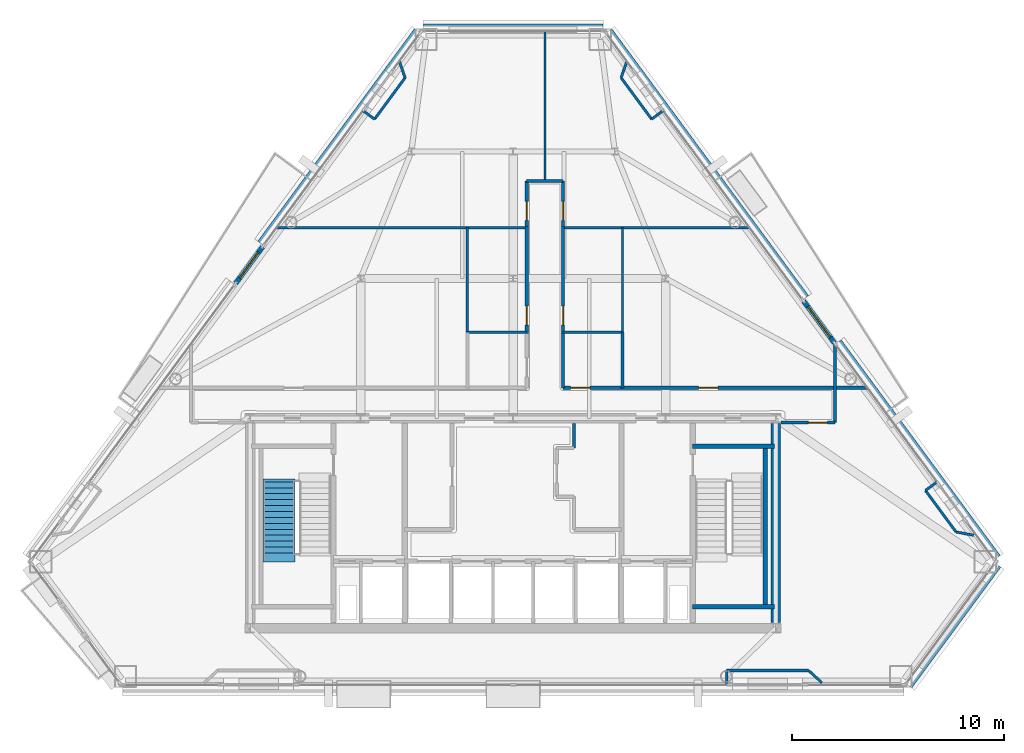
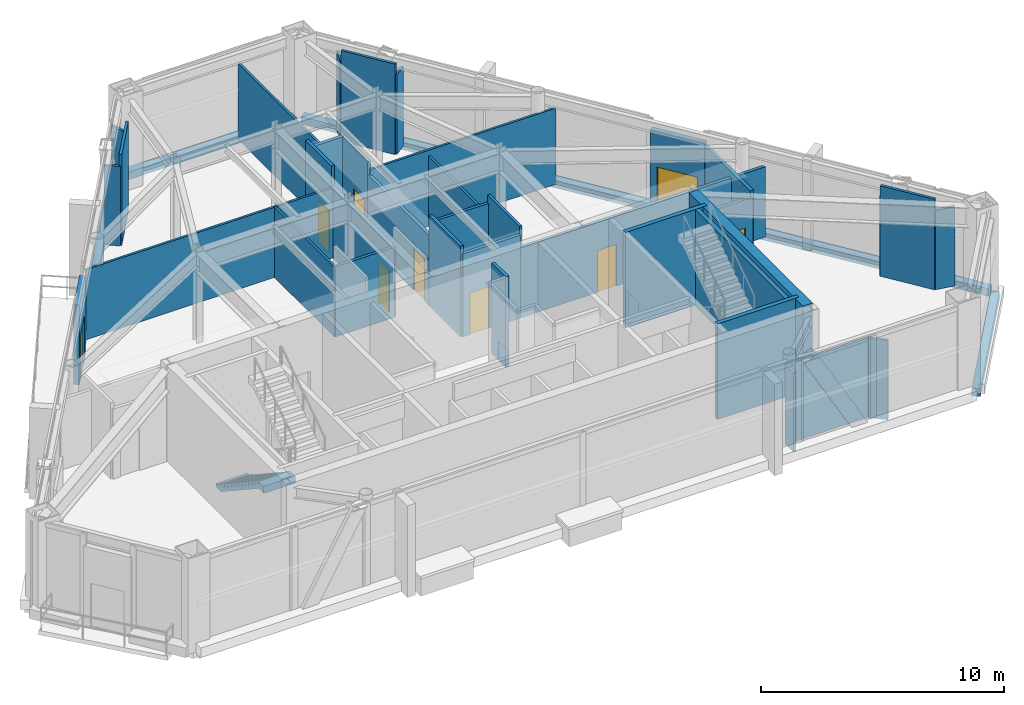
# One storey, part 7 of 10: 42 walls, 9 doors, 1 stair flight, 9 openings, 1 element without a shape of its own.
"""IFC4 building model written with IfcOpenShell, lengths in metres."""

from ifc_helpers import new_model, si_unit, direction, frame, frame_2d, origin, place, context, subcontext, project, spatial, polyline, rectangle, outline, extrude, material, layer, layer_set, type_object, element, fill, aggregate, save


model = new_model("IFC4")

# Units and contexts
model_context = context("Model", 3, precision=1e-05, world=origin(), true_north=direction((0.0, 1.0)))
body_context = subcontext(model_context, "Body", "Model", "MODEL_VIEW")
ifc_project = project(units=[si_unit("LENGTHUNIT", "METRE"), si_unit("AREAUNIT", "SQUARE_METRE"), si_unit("VOLUMEUNIT", "CUBIC_METRE"), si_unit("PLANEANGLEUNIT", "RADIAN"), si_unit("MASSUNIT", "GRAM", prefix="KILO")], contexts=[model_context])

# Site, building, storey
site_placement = place(None, origin())
site = spatial("IfcSite", under=ifc_project, at=site_placement, CompositionType="ELEMENT")
building_placement = place(site_placement, origin())
building = spatial("IfcBuilding", under=site, at=building_placement, Name="Talgorran Terracotta Tower", CompositionType="ELEMENT")
storey_placement = place(building_placement, frame((0.0, 0.0, 173.699951171875)))
storey = spatial("IfcBuildingStorey", under=building, at=storey_placement, Name="L45", CompositionType="ELEMENT", Elevation=173.699951171875)

# Wall, opening, door
ifc_material_1 = material(Name="Concrete C40/50", Category="concrete")
ifc_layer_1 = layer(ifc_material_1, 0.239990234375, Name="WT_BALCONY_SPAND")
ifc_layer_set_1 = layer_set([ifc_layer_1], Name="Concrete C40/50")
wall_type_1 = type_object("IfcWallType", Name="WT_BALCONY_SPAND", PredefinedType="STANDARD", material=ifc_layer_set_1)
wall_1_placement = place(storey_placement, frame((15.168212890625, -0.63330078125, -0.014892578125), z_axis=(0.0, 0.0, 1.0), x_axis=(-0.593448168385, 0.804872208142, 0.0)))
wall_1 = element("IfcWall", 1, at=wall_1_placement, inside=storey, type_object=wall_type_1, Name="WL-L45-BALP-BAL-NE", PredefinedType="STANDARD", context=body_context, shape_type="SweptSolid", body=[
    extrude(rectangle(XDim=2.43994140625, YDim=0.239990234375, at=frame_2d((1.219970703125, 0.0))), origin(), (0.0, 0.0, 1.0), 4.0068359375),
])
opening_1_placement = place(wall_1_placement, frame((0.320068359375, 0.0, 0.014892578125)))
opening_1 = element("IfcOpeningElement", 2, at=opening_1_placement, cuts=wall_1, Name="Opening D-BAL-L45-1", PredefinedType="OPENING", context=body_context, shape_type="SweptSolid", body=[
    extrude(rectangle(XDim=1.806048828125, YDim=2.203951171875, at=frame_2d((0.89990234375, 1.10205078125))), frame((0.0, 0.1298828125, 0.0), z_axis=(0.0, -1.0, 0.0), x_axis=(1.0, 0.0, 0.0)), (0.0, 0.0, 1.0), 0.260009765625),
])
ifc_material_2 = material(Name="Thermally Broken Aluminium", Category="aluminium")
door_type_1 = type_object("IfcDoorType", Name="DT_BALC_1800", OperationType="SLIDING_TO_LEFT", PredefinedType="DOOR", material=ifc_material_2)
door_1_placement = place(opening_1_placement, origin())
door_1 = element("IfcDoor", 3, at=door_1_placement, inside=storey, type_object=door_type_1, Name="DR-L45-BAL-BAL-NE", OperationType="SLIDING_TO_LEFT", OverallHeight=2.199951171875, OverallWidth=1.800048828125, PredefinedType="DOOR", context=body_context, shape_type="SweptSolid", body=[
    extrude(rectangle(XDim=1.800048828125, YDim=2.199951171875, at=frame_2d((0.89990234375, 1.10009765625))), frame((0.0, 0.02490234375, 0.0), z_axis=(0.0, -1.0, 0.0), x_axis=(1.0, 0.0, 0.0)), (0.0, 0.0, 1.0), 0.050048828125),
])
fill(opening_1, door_1)

wall_2_placement = place(storey_placement, frame((-11.826416015625, 3.898681640625, -0.014892578125), z_axis=(0.0, 0.0, 1.0), x_axis=(-0.593537527179, -0.804806314482, 0.0)))
wall_2 = element("IfcWall", 4, at=wall_2_placement, inside=storey, type_object=wall_type_1, Name="WL-L45-BALP-BAL-NW", PredefinedType="STANDARD", context=body_context, shape_type="SweptSolid", body=[
    extrude(rectangle(XDim=2.14013671875, YDim=0.239990234375, at=frame_2d((1.070068359375, 0.0))), origin(), (0.0, 0.0, 1.0), 4.0068359375),
])
opening_2_placement = place(wall_2_placement, frame((0.320068359375, 0.0, 0.014892578125)))
opening_2 = element("IfcOpeningElement", 5, at=opening_2_placement, cuts=wall_2, Name="Opening D-BAL-L45-2", PredefinedType="OPENING", context=body_context, shape_type="SweptSolid", body=[
    extrude(rectangle(XDim=1.506, YDim=2.203951171875, at=frame_2d((0.75, 1.10205078125))), frame((0.0, 0.1298828125, 0.0), z_axis=(0.0, -1.0, 0.0), x_axis=(1.0, 0.0, 0.0)), (0.0, 0.0, 1.0), 0.260009765625),
])
door_type_2 = type_object("IfcDoorType", Name="DT_BALC_1500", OperationType="SLIDING_TO_RIGHT", PredefinedType="DOOR", material=ifc_material_2)
door_2_placement = place(opening_2_placement, origin())
door_2 = element("IfcDoor", 6, at=door_2_placement, inside=storey, type_object=door_type_2, Name="DR-L45-BAL-BAL-NW", OperationType="SLIDING_TO_RIGHT", OverallHeight=2.199951171875, OverallWidth=1.5, PredefinedType="DOOR", context=body_context, shape_type="SweptSolid", body=[
    extrude(rectangle(XDim=1.5, YDim=2.199951171875, at=frame_2d((0.75, 1.10009765625))), frame((0.0, 0.02490234375, 0.0), z_axis=(0.0, -1.0, 0.0), x_axis=(1.0, 0.0, 0.0)), (0.0, 0.0, 1.0), 0.050048828125),
])
fill(opening_2, door_2)

# Walls
ifc_material_3 = material(Name="Concrete C50/60", Category="concrete")
ifc_layer_2 = layer(ifc_material_3, 0.199951171875, Name="WT_CORE_200")
ifc_layer_set_2 = layer_set([ifc_layer_2], Name="Concrete C50/60")
wall_type_2 = type_object("IfcWallType", Name="WT_CORE_200", PredefinedType="SOLIDWALL", material=ifc_layer_set_2)
for number, where, z_axis, x_axis, name in (
    (7, (8.47998046875, -5.52001953125, 0.0), (0.0, 0.0, 1.0), (1.0, 0.0, 0.0), "WL-L45-CW-ST2-N"),
    (8, (8.47998046875, -13.10009765625, 0.0), (0.0, 0.0, 1.0), (1.0, 0.0, 0.0), "WL-L45-CW-ST2-S"),
):
    element("IfcWall", number, at=place(storey_placement, frame(where, z_axis=z_axis, x_axis=x_axis)), inside=storey, type_object=wall_type_2, Name=name, PredefinedType="SOLIDWALL", context=body_context, shape_type="SweptSolid", body=[
        extrude(rectangle(XDim=3.8701171875, YDim=0.199951171875, at=frame_2d((1.93505859375, 0.0))), origin(), (0.0, 0.0, 1.0), 4.800048828125),
    ])
wall_3_placement = place(storey_placement, frame((11.89990234375, -13.10009765625, 0.0), z_axis=(0.0, 0.0, 1.0), x_axis=(0.0, 1.0, 0.0)))
element("IfcWall", 9, at=wall_3_placement, inside=storey, type_object=wall_type_2, Name="WL-L45-CW-ST2-E", PredefinedType="SOLIDWALL", context=body_context, shape_type="SweptSolid", body=[
    extrude(rectangle(XDim=7.580078125, YDim=0.199951171875, at=frame_2d((3.7900390625, 0.0))), origin(), (0.0, 0.0, 1.0), 4.800048828125),
])
ifc_material_4 = material(Name="Concrete C65/80", Category="concrete")
ifc_layer_3 = layer(ifc_material_4, 0.449951171875, Name="WT_CORE_EXT")
ifc_layer_set_3 = layer_set([ifc_layer_3], Name="Concrete C65/80")
wall_type_3 = type_object("IfcWallType", Name="WT_CORE_EXT", PredefinedType="SHEAR", material=ifc_layer_set_3)
wall_4_placement = place(storey_placement, frame((12.39990234375, -13.85009765625, 0.0), z_axis=(0.0, 0.0, 1.0), x_axis=(0.0, 1.0, 0.0)))
element("IfcWall", 10, at=wall_4_placement, inside=storey, type_object=wall_type_3, Name="WL-L45-CW-OUT-E", PredefinedType="SHEAR", context=body_context, shape_type="SweptSolid", body=[
    extrude(rectangle(XDim=9.400146484375, YDim=0.449951171875, at=frame_2d((4.7001953125, 0.0))), origin(), (0.0, 0.0, 1.0), 4.800048828125),
])
ifc_material_5 = material(Name="Fire-Rated Steel Stud Plasterboard", Category="steel")
ifc_layer_4 = layer(ifc_material_5, 0.14990234375, Name="WT_FIRE_150")
ifc_layer_set_4 = layer_set([ifc_layer_4], Name="Fire-Rated Steel Stud Plasterboard")
wall_type_4 = type_object("IfcWallType", Name="WT_FIRE_150", PredefinedType="PARTITIONING", material=ifc_layer_set_4)
wall_5_placement = place(storey_placement, frame((2.8798828125, -5.60009765625, 0.0), z_axis=(0.0, 0.0, 1.0), x_axis=(0.0, 1.0, 0.0)))
element("IfcWall", 11, at=wall_5_placement, inside=storey, type_object=wall_type_4, Name="WL-L45-CW-V-E3E", PredefinedType="PARTITIONING", context=body_context, shape_type="SweptSolid", body=[
    extrude(rectangle(XDim=1.150146484375, YDim=0.14990234375, at=frame_2d((0.5751953125, 0.0))), origin(), (0.0, 0.0, 1.0), 4.550048828125),
])

# Wall, opening, door
wall_6_placement = place(storey_placement, frame((5.10009765625, -2.760009765625, 0.0), z_axis=(0.0, 0.0, 1.0), x_axis=(1.0, 0.0, 0.0)))
wall_6 = element("IfcWall", 12, at=wall_6_placement, inside=storey, type_object=wall_type_4, Name="WL-L45-W-L45-R11", PredefinedType="PARTITIONING", context=body_context, shape_type="SweptSolid", body=[
    extrude(rectangle(XDim=11.636474609375, YDim=0.14990234375, at=frame_2d((5.818359375, 0.0))), origin(), (0.0, 0.0, 1.0), 3.525146484375),
])
opening_3_placement = place(wall_6_placement, frame((3.664306640625, 0.0, 0.0)))
opening_3 = element("IfcOpeningElement", 13, at=opening_3_placement, cuts=wall_6, Name="Opening DR-L45-R07", PredefinedType="OPENING", context=body_context, shape_type="SweptSolid", body=[
    extrude(rectangle(XDim=0.90590234375, YDim=2.10409765625, at=frame_2d((0.449951171875, 1.052001953125))), frame((0.0, 0.0849609375, 0.0), z_axis=(0.0, -1.0, 0.0), x_axis=(1.0, 0.0, 0.0)), (0.0, 0.0, 1.0), 0.169921875),
])
ifc_material_6 = material(Name="Fire-Rated Timber Core", Category="wood")
door_type_3 = type_object("IfcDoorType", Name="DT_FIRE_900", OperationType="NOTDEFINED", PredefinedType="DOOR", material=ifc_material_6)
door_3_placement = place(opening_3_placement, origin())
door_3 = element("IfcDoor", 14, at=door_3_placement, inside=storey, type_object=door_type_3, Name="DR-L45-R07", OperationType="SINGLE_SWING_LEFT", OverallHeight=2.10009765625, OverallWidth=0.89990234375, PredefinedType="DOOR", context=body_context, shape_type="SweptSolid", body=[
    extrude(rectangle(XDim=0.89990234375, YDim=2.10009765625, at=frame_2d((0.449951171875, 1.050048828125))), frame((0.0, 0.02490234375, 0.0), z_axis=(0.0, -1.0, 0.0), x_axis=(1.0, 0.0, 0.0)), (0.0, 0.0, 1.0), 0.050048828125),
])
fill(opening_3, door_3)

wall_7_placement = place(storey_placement, frame((0.639892578125, -0.199951171875, 0.0), z_axis=(0.0, 0.0, 1.0), x_axis=(0.0, 1.0, 0.0)))
wall_7 = element("IfcWall", 15, at=wall_7_placement, inside=storey, type_object=wall_type_4, Name="WL-L45-W-L45-R10", PredefinedType="PARTITIONING", context=body_context, shape_type="SweptSolid", body=[
    extrude(rectangle(XDim=5.06005859375, YDim=0.14990234375, at=frame_2d((2.530029296875, 0.0))), origin(), (0.0, 0.0, 1.0), 3.525146484375),
])
opening_4_placement = place(wall_7_placement, frame((0.397216796875, 0.0, 0.0)))
opening_4 = element("IfcOpeningElement", 16, at=opening_4_placement, cuts=wall_7, Name="Opening DR-L45-R06", PredefinedType="OPENING", context=body_context, shape_type="SweptSolid", body=[
    extrude(rectangle(XDim=0.90590234375, YDim=2.10409765625, at=frame_2d((0.449951171875, 1.052001953125))), frame((0.0, 0.0849609375, 0.0), z_axis=(0.0, -1.0, 0.0), x_axis=(1.0, 0.0, 0.0)), (0.0, 0.0, 1.0), 0.169921875),
])
door_4_placement = place(opening_4_placement, origin())
door_4 = element("IfcDoor", 17, at=door_4_placement, inside=storey, type_object=door_type_3, Name="DR-L45-R06", OperationType="SINGLE_SWING_RIGHT", OverallHeight=2.10009765625, OverallWidth=0.89990234375, PredefinedType="DOOR", context=body_context, shape_type="SweptSolid", body=[
    extrude(rectangle(XDim=0.89990234375, YDim=2.10009765625, at=frame_2d((0.449951171875, 1.050048828125))), frame((0.0, 0.02490234375, 0.0), z_axis=(0.0, -1.0, 0.0), x_axis=(1.0, 0.0, 0.0)), (0.0, 0.0, 1.0), 0.050048828125),
])
fill(opening_4, door_4)

wall_8_placement = place(storey_placement, frame((2.360107421875, -0.199951171875, 0.0), z_axis=(0.0, 0.0, 1.0), x_axis=(0.0, 1.0, 0.0)))
wall_8 = element("IfcWall", 18, at=wall_8_placement, inside=storey, type_object=wall_type_4, Name="WL-L45-W-L45-R12", PredefinedType="PARTITIONING", context=body_context, shape_type="SweptSolid", body=[
    extrude(rectangle(XDim=5.06005859375, YDim=0.14990234375, at=frame_2d((2.530029296875, 0.0))), origin(), (0.0, 0.0, 1.0), 3.525146484375),
])
opening_5_placement = place(wall_8_placement, frame((0.397216796875, 0.0, 0.0)))
opening_5 = element("IfcOpeningElement", 19, at=opening_5_placement, cuts=wall_8, Name="Opening DR-L45-R08", PredefinedType="OPENING", context=body_context, shape_type="SweptSolid", body=[
    extrude(rectangle(XDim=0.90590234375, YDim=2.10409765625, at=frame_2d((0.449951171875, 1.052001953125))), frame((0.0, 0.0849609375, 0.0), z_axis=(0.0, -1.0, 0.0), x_axis=(1.0, 0.0, 0.0)), (0.0, 0.0, 1.0), 0.169921875),
])
door_5_placement = place(opening_5_placement, origin())
door_5 = element("IfcDoor", 20, at=door_5_placement, inside=storey, type_object=door_type_3, Name="DR-L45-R08", OperationType="SINGLE_SWING_RIGHT", OverallHeight=2.10009765625, OverallWidth=0.89990234375, PredefinedType="DOOR", context=body_context, shape_type="SweptSolid", body=[
    extrude(rectangle(XDim=0.89990234375, YDim=2.10009765625, at=frame_2d((0.449951171875, 1.050048828125))), frame((0.0, 0.02490234375, 0.0), z_axis=(0.0, -1.0, 0.0), x_axis=(1.0, 0.0, 0.0)), (0.0, 0.0, 1.0), 0.050048828125),
])
fill(opening_5, door_5)

# Wall
wall_9_placement = place(storey_placement, frame((15.199951171875, -4.39990234375, 0.0), z_axis=(0.0, 0.0, 1.0), x_axis=(0.0, 1.0, 0.0)))
element("IfcWall", 21, at=wall_9_placement, inside=storey, type_object=wall_type_4, Name="WL-L45-W-L45-R04", PredefinedType="PARTITIONING", context=body_context, shape_type="SweptSolid", body=[
    extrude(rectangle(XDim=3.7236328125, YDim=0.14990234375, at=frame_2d((1.86181640625, 0.0))), origin(), (0.0, 0.0, 1.0), 3.824951171875),
])

# Wall, opening, door
wall_10_placement = place(storey_placement, frame((2.360107421875, -2.760009765625, 0.0), z_axis=(0.0, 0.0, 1.0), x_axis=(1.0, 0.0, 0.0)))
wall_10 = element("IfcWall", 22, at=wall_10_placement, inside=storey, type_object=wall_type_4, Name="WL-L45-W-L45-R06", PredefinedType="PARTITIONING", context=body_context, shape_type="SweptSolid", body=[
    extrude(rectangle(XDim=2.73779296875, YDim=0.14990234375, at=frame_2d((1.368896484375, 0.0))), origin(), (0.0, 0.0, 1.0), 4.16943359375),
])
opening_6_placement = place(wall_10_placement, frame((0.357177734375, 0.0, 0.0)))
opening_6 = element("IfcOpeningElement", 23, at=opening_6_placement, cuts=wall_10, Name="Opening DR-L45-R03", PredefinedType="OPENING", context=body_context, shape_type="SweptSolid", body=[
    extrude(rectangle(XDim=0.90590234375, YDim=2.10409765625, at=frame_2d((0.449951171875, 1.052001953125))), frame((0.0, 0.0849609375, 0.0), z_axis=(0.0, -1.0, 0.0), x_axis=(1.0, 0.0, 0.0)), (0.0, 0.0, 1.0), 0.169921875),
])
door_6_placement = place(opening_6_placement, origin())
door_6 = element("IfcDoor", 24, at=door_6_placement, inside=storey, type_object=door_type_3, Name="DR-L45-R03", OperationType="SINGLE_SWING_LEFT", OverallHeight=2.10009765625, OverallWidth=0.89990234375, PredefinedType="DOOR", context=body_context, shape_type="SweptSolid", body=[
    extrude(rectangle(XDim=0.89990234375, YDim=2.10009765625, at=frame_2d((0.449951171875, 1.050048828125))), frame((0.0, 0.02490234375, 0.0), z_axis=(0.0, -1.0, 0.0), x_axis=(1.0, 0.0, 0.0)), (0.0, 0.0, 1.0), 0.050048828125),
])
fill(opening_6, door_6)

wall_11_placement = place(storey_placement, frame((12.652099609375, -4.39990234375, 0.0), z_axis=(0.0, 0.0, 1.0), x_axis=(1.0, 0.0, 0.0)))
wall_11 = element("IfcWall", 25, at=wall_11_placement, inside=storey, type_object=wall_type_4, Name="WL-L45-W-L45-R03", PredefinedType="PARTITIONING", context=body_context, shape_type="SweptSolid", body=[
    extrude(rectangle(XDim=2.5478515625, YDim=0.14990234375, at=frame_2d((1.27392578125, 0.0))), origin(), (0.0, 0.0, 1.0), 3.525146484375),
])
opening_7_placement = place(wall_11_placement, frame((1.2880859375, 0.0, 0.0)))
opening_7 = element("IfcOpeningElement", 26, at=opening_7_placement, cuts=wall_11, Name="Opening DR-L45-R02", PredefinedType="OPENING", context=body_context, shape_type="SweptSolid", body=[
    extrude(rectangle(XDim=0.90590234375, YDim=2.10409765625, at=frame_2d((0.449951171875, 1.052001953125))), frame((0.0, 0.0849609375, 0.0), z_axis=(0.0, -1.0, 0.0), x_axis=(1.0, 0.0, 0.0)), (0.0, 0.0, 1.0), 0.169921875),
])
door_7_placement = place(opening_7_placement, origin())
door_7 = element("IfcDoor", 27, at=door_7_placement, inside=storey, type_object=door_type_3, Name="DR-L45-R02", OperationType="SINGLE_SWING_RIGHT", OverallHeight=2.10009765625, OverallWidth=0.89990234375, PredefinedType="DOOR", context=body_context, shape_type="SweptSolid", body=[
    extrude(rectangle(XDim=0.89990234375, YDim=2.10009765625, at=frame_2d((0.449951171875, 1.050048828125))), frame((0.0, 0.02490234375, 0.0), z_axis=(0.0, -1.0, 0.0), x_axis=(1.0, 0.0, 0.0)), (0.0, 0.0, 1.0), 0.050048828125),
])
fill(opening_7, door_7)

# Wall
wall_12_placement = place(storey_placement, frame((2.360107421875, -2.760009765625, 0.0), z_axis=(0.0, 0.0, 1.0), x_axis=(0.0, 1.0, 0.0)))
element("IfcWall", 28, at=wall_12_placement, inside=storey, type_object=wall_type_4, Name="WL-L45-W-L45-R05", PredefinedType="PARTITIONING", context=body_context, shape_type="SweptSolid", body=[
    extrude(rectangle(XDim=2.55810546875, YDim=0.14990234375, at=frame_2d((1.279052734375, 0.0))), origin(), (0.0, 0.0, 1.0), 4.550048828125),
])

# Wall, opening, door
wall_13_placement = place(storey_placement, frame((0.639892578125, 4.862060546875, 0.0), z_axis=(0.0, 0.0, 1.0), x_axis=(0.0, 1.0, 0.0)))
wall_13 = element("IfcWall", 29, at=wall_13_placement, inside=storey, type_object=wall_type_4, Name="WL-L45-W-L45-R13", PredefinedType="PARTITIONING", context=body_context, shape_type="SweptSolid", body=[
    extrude(rectangle(XDim=2.137939453125, YDim=0.14990234375, at=frame_2d((1.06884765625, 0.0))), origin(), (0.0, 0.0, 1.0), 4.550048828125),
])
opening_8_placement = place(wall_13_placement, frame((0.278076171875, 0.0, 0.0)))
opening_8 = element("IfcOpeningElement", 30, at=opening_8_placement, cuts=wall_13, Name="Opening DR-L45-R09", PredefinedType="OPENING", context=body_context, shape_type="SweptSolid", body=[
    extrude(rectangle(XDim=0.90590234375, YDim=2.10409765625, at=frame_2d((0.449951171875, 1.052001953125))), frame((0.0, 0.0849609375, 0.0), z_axis=(0.0, -1.0, 0.0), x_axis=(1.0, 0.0, 0.0)), (0.0, 0.0, 1.0), 0.169921875),
])
door_8_placement = place(opening_8_placement, origin())
door_8 = element("IfcDoor", 31, at=door_8_placement, inside=storey, type_object=door_type_3, Name="DR-L45-R09", OperationType="SINGLE_SWING_LEFT", OverallHeight=2.10009765625, OverallWidth=0.89990234375, PredefinedType="DOOR", context=body_context, shape_type="SweptSolid", body=[
    extrude(rectangle(XDim=0.89990234375, YDim=2.10009765625, at=frame_2d((0.449951171875, 1.050048828125))), frame((0.0, 0.02490234375, 0.0), z_axis=(0.0, -1.0, 0.0), x_axis=(1.0, 0.0, 0.0)), (0.0, 0.0, 1.0), 0.050048828125),
])
fill(opening_8, door_8)

wall_14_placement = place(storey_placement, frame((2.360107421875, 4.862060546875, 0.0), z_axis=(0.0, 0.0, 1.0), x_axis=(0.0, 1.0, 0.0)))
wall_14 = element("IfcWall", 32, at=wall_14_placement, inside=storey, type_object=wall_type_4, Name="WL-L45-W-L45-R16", PredefinedType="PARTITIONING", context=body_context, shape_type="SweptSolid", body=[
    extrude(rectangle(XDim=2.137939453125, YDim=0.14990234375, at=frame_2d((1.06884765625, 0.0))), origin(), (0.0, 0.0, 1.0), 4.16943359375),
])
opening_9_placement = place(wall_14_placement, frame((0.278076171875, 0.0, 0.0)))
opening_9 = element("IfcOpeningElement", 33, at=opening_9_placement, cuts=wall_14, Name="Opening DR-L45-R10", PredefinedType="OPENING", context=body_context, shape_type="SweptSolid", body=[
    extrude(rectangle(XDim=0.90590234375, YDim=2.10409765625, at=frame_2d((0.449951171875, 1.052001953125))), frame((0.0, 0.0849609375, 0.0), z_axis=(0.0, -1.0, 0.0), x_axis=(1.0, 0.0, 0.0)), (0.0, 0.0, 1.0), 0.169921875),
])
door_9_placement = place(opening_9_placement, origin())
door_9 = element("IfcDoor", 34, at=door_9_placement, inside=storey, type_object=door_type_3, Name="DR-L45-R10", OperationType="SINGLE_SWING_RIGHT", OverallHeight=2.10009765625, OverallWidth=0.89990234375, PredefinedType="DOOR", context=body_context, shape_type="SweptSolid", body=[
    extrude(rectangle(XDim=0.89990234375, YDim=2.10009765625, at=frame_2d((0.449951171875, 1.050048828125))), frame((0.0, 0.02490234375, 0.0), z_axis=(0.0, -1.0, 0.0), x_axis=(1.0, 0.0, 0.0)), (0.0, 0.0, 1.0), 0.050048828125),
])
fill(opening_9, door_9)

# Walls
wall_15_placement = place(storey_placement, frame((0.639892578125, 7.0, 0.0), z_axis=(0.0, 0.0, 1.0), x_axis=(1.0, 0.0, 0.0)))
element("IfcWall", 35, at=wall_15_placement, inside=storey, type_object=wall_type_4, Name="WL-L45-W-L45-R14", PredefinedType="PARTITIONING", context=body_context, shape_type="SweptSolid", body=[
    extrude(rectangle(XDim=1.72021484375, YDim=0.14990234375, at=frame_2d((0.860107421875, 0.0))), origin(), (0.0, 0.0, 1.0), 4.16943359375),
])
ifc_layer_5 = layer(ifc_material_1, 0.219970703125, Name="WT_PARAPET_RC")
ifc_layer_set_5 = layer_set([ifc_layer_5], Name="Concrete C40/50")
wall_type_5 = type_object("IfcWallType", Name="WT_PARAPET_RC", PredefinedType="PARAPET", material=ifc_layer_set_5)
wall_16_placement = place(storey_placement, frame((18.678955078125, -16.816162109375, -0.199951171875), z_axis=(0.0, 0.0, 1.0), x_axis=(0.593500739661, 0.804833443653, 0.0)))
element("IfcWall", 36, at=wall_16_placement, inside=storey, type_object=wall_type_5, Name="L45 Striped Portal Precast Cornice F2", PredefinedType="PARAPET", context=body_context, shape_type="SweptSolid", body=[
    extrude(rectangle(XDim=7.0654296875, YDim=0.360107421875, at=frame_2d((3.53271484375, 0.0))), origin(), (0.0, 0.0, 1.0), 0.3798828125),
])
wall_17_placement = place(storey_placement, frame((22.848388671875, -10.77880859375, -0.199951171875), z_axis=(0.0, 0.0, 1.0), x_axis=(-0.593477838776, 0.804850330734, 0.0)))
element("IfcWall", 37, at=wall_17_placement, inside=storey, type_object=wall_type_5, Name="L45 Striped Portal Precast Cornice F40", PredefinedType="PARAPET", context=body_context, shape_type="SweptSolid", body=[
    extrude(rectangle(XDim=12.6337890625, YDim=0.360107421875, at=frame_2d((6.31689453125, 0.0))), origin(), (0.0, 0.0, 1.0), 0.3798828125),
])
wall_18_placement = place(storey_placement, frame((13.79541015625, 1.498046875, -0.199951171875), z_axis=(0.0, 0.0, 1.0), x_axis=(-0.593484495124, 0.804845422455, 0.0)))
element("IfcWall", 38, at=wall_18_placement, inside=storey, type_object=wall_type_5, Name="L45 Striped Portal Precast Cornice F41", PredefinedType="PARAPET", context=body_context, shape_type="SweptSolid", body=[
    extrude(rectangle(XDim=15.63525390625, YDim=0.360107421875, at=frame_2d((7.817626953125, 0.0))), origin(), (0.0, 0.0, 1.0), 0.3798828125),
])
wall_19_placement = place(storey_placement, frame((4.236083984375, 14.24365234375, -0.199951171875), z_axis=(0.0, 0.0, 1.0), x_axis=(-1.0, 0.0, 0.0)))
element("IfcWall", 39, at=wall_19_placement, inside=storey, type_object=wall_type_5, Name="L45 Striped Portal Precast Cornice F4", PredefinedType="PARAPET", context=body_context, shape_type="SweptSolid", body=[
    extrude(rectangle(XDim=8.47216796875, YDim=0.360107421875, at=frame_2d((4.236083984375, 0.0))), origin(), (0.0, 0.0, 1.0), 0.3798828125),
])
wall_20_placement = place(storey_placement, frame((-4.51611328125, 14.08203125, -0.199951171875), z_axis=(0.0, 0.0, 1.0), x_axis=(-0.593482739704, -0.804846716881, 0.0)))
element("IfcWall", 40, at=wall_20_placement, inside=storey, type_object=wall_type_5, Name="L45 Striped Portal Precast Cornice F60", PredefinedType="PARAPET", context=body_context, shape_type="SweptSolid", body=[
    extrude(rectangle(XDim=12.44482421875, YDim=0.360107421875, at=frame_2d((6.222412109375, 0.0))), origin(), (0.0, 0.0, 1.0), 0.3798828125),
])
ifc_material_7 = material(Name="Lightweight Steel Stud Partition", Category="steel")
ifc_layer_6 = layer(ifc_material_7, 0.10498046875, Name="WT_PART_110")
ifc_layer_set_6 = layer_set([ifc_layer_6], Name="Lightweight Steel Stud Partition")
wall_type_6 = type_object("IfcWallType", Name="WT_PART_110", PredefinedType="PARTITIONING", material=ifc_layer_set_6)
wall_21_placement = place(storey_placement, frame((-11.161865234375, 4.800048828125, 0.0), z_axis=(0.0, 0.0, 1.0), x_axis=(1.0, 0.0, 0.0)))
element("IfcWall", 41, at=wall_21_placement, inside=storey, type_object=wall_type_6, Name="WL-L45-W-L45-R23", PredefinedType="PARTITIONING", context=body_context, shape_type="SweptSolid", body=[
    extrude(rectangle(XDim=11.8017578125, YDim=0.10498046875, at=frame_2d((5.90087890625, 0.0))), origin(), (0.0, 0.0, 1.0), 3.525146484375),
])
wall_22_placement = place(storey_placement, frame((1.5, 7.0, 0.0), z_axis=(0.0, 0.0, 1.0), x_axis=(0.0, 1.0, 0.0)))
element("IfcWall", 42, at=wall_22_placement, inside=storey, type_object=wall_type_6, Name="WL-L45-W-L45-R28", PredefinedType="PARTITIONING", context=body_context, shape_type="SweptSolid", body=[
    extrude(rectangle(XDim=7.08349609375, YDim=0.10498046875, at=frame_2d((3.541748046875, 0.0))), origin(), (0.0, 0.0, 1.0), 3.824951171875),
])
wall_23_placement = place(storey_placement, frame((2.360107421875, 4.800048828125, 0.0), z_axis=(0.0, 0.0, 1.0), x_axis=(1.0, 0.0, 0.0)))
element("IfcWall", 43, at=wall_23_placement, inside=storey, type_object=wall_type_6, Name="WL-L45-W-L45-R26", PredefinedType="PARTITIONING", context=body_context, shape_type="SweptSolid", body=[
    extrude(rectangle(XDim=8.8017578125, YDim=0.10498046875, at=frame_2d((4.40087890625, 0.0))), origin(), (0.0, 0.0, 1.0), 3.824951171875),
])
for number, where, z_axis, x_axis, name in (
    (44, (-2.159912109375, -0.199951171875, 0.0), (0.0, 0.0, 1.0), (0.0, 1.0, 0.0), "WL-L45-W-L45-R22"),
    (45, (5.159912109375, -0.199951171875, 0.0), (0.0, 0.0, 1.0), (0.0, 1.0, 0.0), "WL-L45-W-L45-R25"),
):
    element("IfcWall", number, at=place(storey_placement, frame(where, z_axis=z_axis, x_axis=x_axis)), inside=storey, type_object=wall_type_6, Name=name, PredefinedType="PARTITIONING", context=body_context, shape_type="SweptSolid", body=[
        extrude(rectangle(XDim=5.0, YDim=0.10498046875, at=frame_2d((2.5, 0.0))), origin(), (0.0, 0.0, 1.0), 3.525146484375),
    ])
ifc_material_8 = material(Name="Insulated Steel Stud Plasterboard", Category="steel")
ifc_layer_7 = layer(ifc_material_8, 0.1201171875, Name="WT_PART_120")
ifc_layer_set_7 = layer_set([ifc_layer_7], Name="Insulated Steel Stud Plasterboard")
wall_type_7 = type_object("IfcWallType", Name="WT_PART_120", PredefinedType="PARTITIONING", material=ifc_layer_set_7)
wall_24_placement = place(storey_placement, frame((10.079833984375, -16.105712890625, 0.0), z_axis=(0.0, 0.0, 1.0), x_axis=(1.0, 0.0, 0.0)))
element("IfcWall", 46, at=wall_24_placement, inside=storey, type_object=wall_type_7, Name="WL-L45-BW-L45-06", PredefinedType="PARTITIONING", context=body_context, shape_type="SweptSolid", body=[
    extrude(rectangle(XDim=3.86767578125, YDim=0.1201171875, at=frame_2d((1.933837890625, 0.0))), origin(), (0.0, 0.0, 1.0), 3.991943359375),
])
for number, where, z_axis, x_axis, name in (
    (47, (-5.097900390625, 11.877685546875, 0.0), (0.0, 0.0, 1.0), (-0.593469747426, -0.804856297043, 0.0), "WL-L45-BW-L45-15"),
    (48, (6.5400390625, 9.921875, 0.0), (0.0, 0.0, 1.0), (-0.593469747426, 0.804856297043, 0.0), "WL-L45-BW-L45-18"),
    (49, (20.908935546875, -9.56396484375, 0.0), (0.0, 0.0, 1.0), (-0.593469747426, 0.804856297043, 0.0), "WL-L45-BW-L45-13"),
):
    element("IfcWall", number, at=place(storey_placement, frame(where, z_axis=z_axis, x_axis=x_axis)), inside=storey, type_object=wall_type_7, Name=name, PredefinedType="PARTITIONING", context=body_context, shape_type="SweptSolid", body=[
        extrude(rectangle(XDim=2.429931640625, YDim=0.1201171875, at=frame_2d((1.21484375, 0.0))), origin(), (0.0, 0.0, 1.0), 4.550048828125),
    ])
for number, where, z_axis, x_axis, name in (
    (50, (13.947509765625, -16.105712890625, 0.0), (0.0, 0.0, 1.0), (0.73797571591, -0.674827268808, 0.0), "WL-L45-BW-L45-04"),
    (51, (21.74462890625, -9.721923828125, 0.0), (0.0, 0.0, 1.0), (-0.98260140749, 0.185726880119, 0.0), "WL-L45-BW-L45-12"),
):
    element("IfcWall", number, at=place(storey_placement, frame(where, z_axis=z_axis, x_axis=x_axis)), inside=storey, type_object=wall_type_7, Name=name, PredefinedType="PARTITIONING", context=body_context, shape_type="SweptSolid", body=[
        extrude(rectangle(XDim=0.8505859375, YDim=0.1201171875, at=frame_2d((0.42529296875, 0.0))), origin(), (0.0, 0.0, 1.0), 3.991943359375),
    ])
for number, where, z_axis, x_axis, name in (
    (52, (-5.366943359375, 12.6416015625, 0.0), (0.0, 0.0, 1.0), (0.332189333403, -0.943212726151, 0.0), "WL-L45-BW-L45-14"),
    (53, (5.097900390625, 11.877685546875, 0.0), (0.0, 0.0, 1.0), (0.332189333403, 0.943212726151, 0.0), "WL-L45-BW-L45-19"),
):
    element("IfcWall", number, at=place(storey_placement, frame(where, z_axis=z_axis, x_axis=x_axis)), inside=storey, type_object=wall_type_7, Name=name, PredefinedType="PARTITIONING", context=body_context, shape_type="SweptSolid", body=[
        extrude(rectangle(XDim=0.809814453125, YDim=0.1201171875, at=frame_2d((0.40478515625, 0.0))), origin(), (0.0, 0.0, 1.0), 3.991943359375),
    ])
for number, where, z_axis, x_axis, name in (
    (54, (-6.5400390625, 9.921875, 0.0), (0.0, 0.0, 1.0), (-0.804826838501, 0.593509696659, 0.0), "WL-L45-BW-L45-16"),
    (55, (7.079345703125, 10.319580078125, 0.0), (0.0, 0.0, 1.0), (-0.804826838501, -0.593509696659, 0.0), "WL-L45-BW-L45-17"),
):
    element("IfcWall", number, at=place(storey_placement, frame(where, z_axis=z_axis, x_axis=x_axis)), inside=storey, type_object=wall_type_7, Name=name, PredefinedType="PARTITIONING", context=body_context, shape_type="SweptSolid", body=[
        extrude(rectangle(XDim=0.670166015625, YDim=0.1201171875, at=frame_2d((0.3349609375, 0.0))), origin(), (0.0, 0.0, 1.0), 3.991943359375),
    ])
for number, where, z_axis, x_axis, name in (
    (56, (10.079833984375, -16.775634765625, 0.0), (0.0, 0.0, 1.0), (0.0, 1.0, 0.0), "WL-L45-BW-L45-05"),
    (57, (19.466796875, -7.608154296875, 0.0), (0.0, 0.0, 1.0), (0.805000876682, 0.593273620298, 0.0), "WL-L45-BW-L45-11"),
):
    element("IfcWall", number, at=place(storey_placement, frame(where, z_axis=z_axis, x_axis=x_axis)), inside=storey, type_object=wall_type_7, Name=name, PredefinedType="PARTITIONING", context=body_context, shape_type="SweptSolid", body=[
        extrude(rectangle(XDim=0.669921875, YDim=0.1201171875, at=frame_2d((0.3349609375, 0.0))), origin(), (0.0, 0.0, 1.0), 3.991943359375),
    ])
ifc_material_9 = material(Name="Moisture-Resistant Stud Wall")
ifc_layer_8 = layer(ifc_material_9, 0.135009765625, Name="WT_PART_135")
ifc_layer_set_8 = layer_set([ifc_layer_8], Name="Moisture-Resistant Stud Wall")
wall_type_8 = type_object("IfcWallType", Name="WT_PART_135", PredefinedType="PARTITIONING", material=ifc_layer_set_8)
wall_25_placement = place(storey_placement, frame((2.360107421875, -0.139892578125, 0.0), z_axis=(0.0, 0.0, 1.0), x_axis=(1.0, 0.0, 0.0)))
element("IfcWall", 58, at=wall_25_placement, inside=storey, type_object=wall_type_8, Name="WL-L45-W-L45-R19", PredefinedType="PARTITIONING", context=body_context, shape_type="SweptSolid", body=[
    extrude(rectangle(XDim=2.7998046875, YDim=0.135009765625, at=frame_2d((1.39990234375, 0.0))), origin(), (0.0, 0.0, 1.0), 4.16943359375),
])
wall_26_placement = place(storey_placement, frame((-2.159912109375, -0.139892578125, 0.0), z_axis=(0.0, 0.0, 1.0), x_axis=(1.0, 0.0, 0.0)))
element("IfcWall", 59, at=wall_26_placement, inside=storey, type_object=wall_type_8, Name="WL-L45-W-L45-R21", PredefinedType="PARTITIONING", context=body_context, shape_type="SweptSolid", body=[
    extrude(rectangle(XDim=2.7998046875, YDim=0.135009765625, at=frame_2d((1.39990234375, 0.0))), origin(), (0.0, 0.0, 1.0), 3.525146484375),
])
wall_27_placement = place(storey_placement, frame((5.159912109375, -2.760009765625, 0.0), z_axis=(0.0, 0.0, 1.0), x_axis=(0.0, 1.0, 0.0)))
element("IfcWall", 60, at=wall_27_placement, inside=storey, type_object=wall_type_8, Name="WL-L45-W-L45-R18", PredefinedType="PARTITIONING", context=body_context, shape_type="SweptSolid", body=[
    extrude(rectangle(XDim=2.6201171875, YDim=0.135009765625, at=frame_2d((1.31005859375, 0.0))), origin(), (0.0, 0.0, 1.0), 4.550048828125),
])

# Stair, stair flight
stair_type = type_object("IfcStairType", Name="ST_FIRE_SCISSOR", PredefinedType="HALF_TURN_STAIR", material=ifc_material_1)
stair_placement = place(storey_placement, origin())
stair = element("IfcStair", 61, at=stair_placement, inside=storey, type_object=stair_type, Name="L45 West Protected Fire Stair ST-01", PredefinedType="HALF_TURN_STAIR")
ifc_layer_9 = layer(ifc_material_1, 0.179931640625, Name="STF_RC_1500")
ifc_layer_set_9 = layer_set([ifc_layer_9], Name="Concrete C40/50")
stair_flight_type = type_object("IfcStairFlightType", Name="STF_RC_1500", PredefinedType="STRAIGHT", material=ifc_layer_set_9)
stair_flight_placement = place(storey_placement, frame((-11.050048828125, -7.199951171875, 0.0), z_axis=(0.0, 0.0, 1.0), x_axis=(0.0, -1.0, 0.0)))
stair_flight = element("IfcStairFlight", 62, at=stair_flight_placement, type_object=stair_flight_type, Name="ST-01 flight 1", NumberOfRisers=13, NumberOfTreads=12, PredefinedType="STRAIGHT", RiserHeight=0.184615385, TreadLength=0.28, context=body_context, shape_type="SweptSolid", body=[
    extrude(outline(polyline([(-0.139892578125, 0.0), (-0.139892578125, 0.1845703125), (0.0, 0.1845703125), (0.280029296875, 0.369140625), (0.56005859375, 0.369140625), (0.56005859375, 0.553955078125), (0.840087890625, 0.553955078125), (0.840087890625, 0.738525390625), (1.1201171875, 0.738525390625), (1.1201171875, 0.923095703125), (1.39990234375, 0.923095703125), (1.39990234375, 1.107666015625), (1.679931640625, 1.107666015625), (1.679931640625, 1.292236328125), (1.9599609375, 1.292236328125), (1.9599609375, 1.476806640625), (2.239990234375, 1.476806640625), (2.239990234375, 1.66162109375), (2.52001953125, 1.66162109375), (2.52001953125, 1.84619140625), (2.800048828125, 1.84619140625), (2.800048828125, 2.03076171875), (3.080078125, 2.03076171875), (3.080078125, 2.21533203125), (3.360107421875, 2.21533203125), (3.360107421875, 2.39990234375), (3.780029296875, 2.39990234375), (3.780029296875, 2.035888671875), (3.360107421875, 2.035888671875), (0.272216796875, 0.0), (-0.139892578125, 0.0)])), frame((0.0, 0.75, 0.0), z_axis=(0.0, -1.0, 0.0), x_axis=(1.0, 0.0, 0.0)), (0.0, 0.0, 1.0), 1.5),
])
aggregate(stair, [stair_flight])

save(model, "model.ifc")
